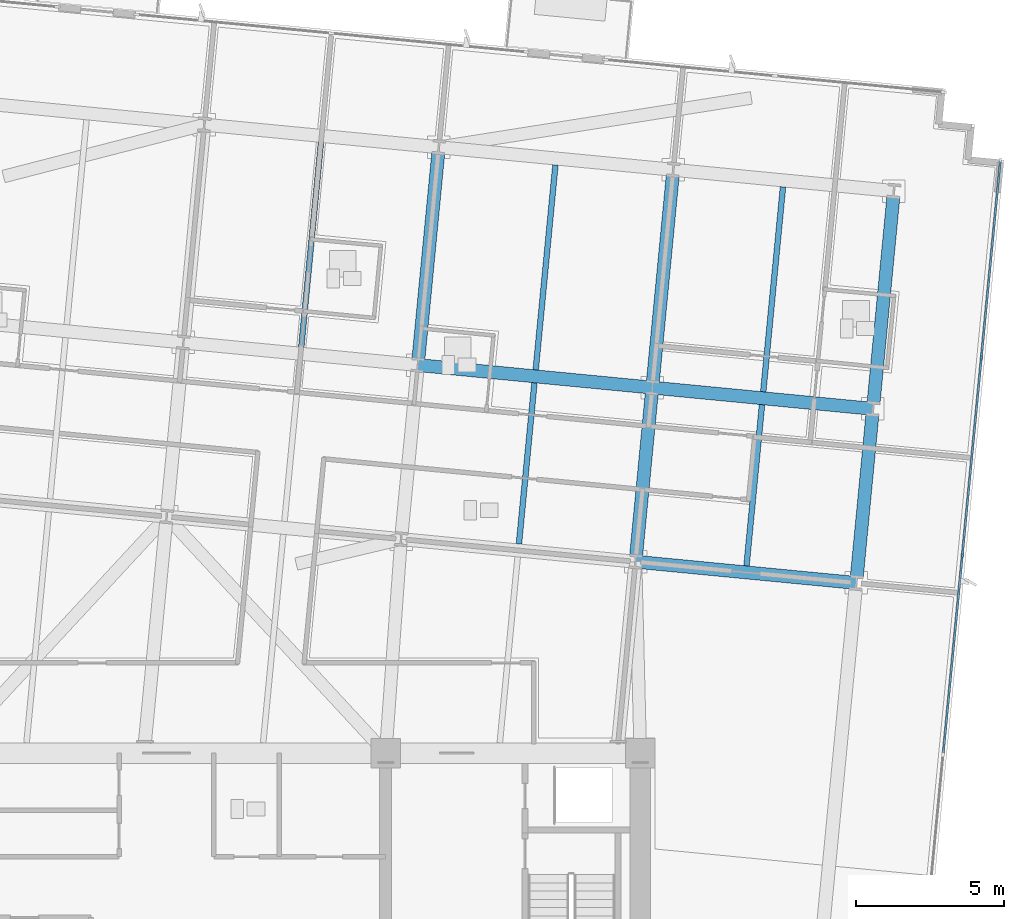
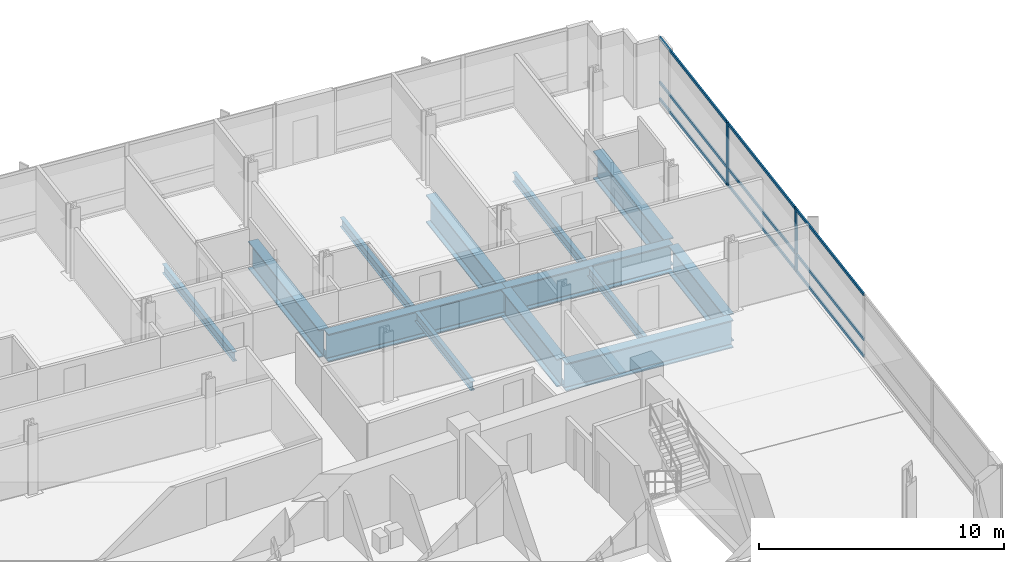
# One storey, part 6 of 18: 13 beams, 11 members, 1 element without a shape of its own.
"""IFC4 building model written with IfcOpenShell, lengths in metres."""

from ifc_helpers import new_model, si_unit, direction, frame, origin, origin_2d, place, context, subcontext, project, spatial, rectangle, i_section, extrude, material, material_profile, profile_set, type_object, element, aggregate, save


model = new_model("IFC4")

# Units and contexts
model_context = context("Model", 3, precision=1e-05, world=origin(), true_north=direction((0.0, 1.0)))
body_context = subcontext(model_context, "Body", "Model", "MODEL_VIEW")
ifc_project = project(units=[si_unit("LENGTHUNIT", "METRE"), si_unit("AREAUNIT", "SQUARE_METRE"), si_unit("VOLUMEUNIT", "CUBIC_METRE"), si_unit("PLANEANGLEUNIT", "RADIAN"), si_unit("MASSUNIT", "GRAM", prefix="KILO")], contexts=[model_context])

# Site, building, storey
site_placement = place(None, origin())
site = spatial("IfcSite", under=ifc_project, at=site_placement, CompositionType="ELEMENT")
building_placement = place(site_placement, origin())
building = spatial("IfcBuilding", under=site, at=building_placement, Name="Solmavex Isthmus Hotel", CompositionType="ELEMENT")
storey_placement = place(building_placement, frame((0.0, 0.0, 135.89990234375)))
storey = spatial("IfcBuildingStorey", under=building, at=storey_placement, Name="L36", CompositionType="ELEMENT", Elevation=135.89990234375)

# Beams
ifc_material_1 = material(Name="Steel ASTM A992 Grade 50", Category="steel")
ifc_material_profile_1 = material_profile(ifc_material_1, i_section(OverallWidth=0.1904296875, OverallDepth=0.456787109375, WebThickness=0.009033203125, FlangeThickness=0.014404296875, FilletRadius=0.0126953125, at=origin_2d()), Name="W18X50")
ifc_profile_set_1 = profile_set([ifc_material_profile_1], Name="Steel ASTM A992 Grade 50")
beam_type_1 = type_object("IfcBeamType", Name="BM-BJ-W18X50", PredefinedType="JOIST", material=ifc_profile_set_1)
beam_1_placement = place(storey_placement, frame((4.54833984375, 11.208740234375, -0.678466796875), z_axis=(0.095834859327, 0.995397247202, 0.0), x_axis=(-0.995397247202, 0.095834859327, 0.0)))
element("IfcBeam", 1, at=beam_1_placement, inside=storey, type_object=beam_type_1, Name="Secondary Floor Joist L36-J12", PredefinedType="JOIST", context=body_context, shape_type="SweptSolid", body=[
    extrude(i_section(OverallWidth=0.1904296875, OverallDepth=0.456787109375, WebThickness=0.009033203125, FlangeThickness=0.014404296875, FilletRadius=0.0126953125, at=origin_2d()), origin(), (0.0, 0.0, 1.0), 6.9521484375),
])
beam_2_placement = place(storey_placement, frame((11.9013671875, 4.5654296875, -0.678466796875), z_axis=(0.095860437863, 0.99539478422, 0.0), x_axis=(-0.99539478422, 0.095860437863, 0.0)))
element("IfcBeam", 2, at=beam_2_placement, inside=storey, type_object=beam_type_1, Name="Secondary Floor Joist L36-J14", PredefinedType="JOIST", context=body_context, shape_type="SweptSolid", body=[
    extrude(i_section(OverallWidth=0.1904296875, OverallDepth=0.456787109375, WebThickness=0.009033203125, FlangeThickness=0.014404296875, FilletRadius=0.0126953125, at=origin_2d()), origin(), (0.0, 0.0, 1.0), 5.468017578125),
])
beam_3_placement = place(storey_placement, frame((12.4677734375, 10.4462890625, -0.678466796875), z_axis=(0.095838209406, 0.995396924658, 0.0), x_axis=(-0.995396924658, 0.095838209406, 0.0)))
element("IfcBeam", 3, at=beam_3_placement, inside=storey, type_object=beam_type_1, Name="Secondary Floor Joist L36-J15", PredefinedType="JOIST", context=body_context, shape_type="SweptSolid", body=[
    extrude(i_section(OverallWidth=0.1904296875, OverallDepth=0.456787109375, WebThickness=0.009033203125, FlangeThickness=0.014404296875, FilletRadius=0.0126953125, at=origin_2d()), origin(), (0.0, 0.0, 1.0), 6.951904296875),
])
beam_4_placement = place(storey_placement, frame((19.587890625, 3.825439453125, -0.678466796875), z_axis=(0.095860437863, 0.99539478422, 0.0), x_axis=(-0.99539478422, 0.095860437863, 0.0)))
element("IfcBeam", 4, at=beam_4_placement, inside=storey, type_object=beam_type_1, Name="Secondary Floor Joist L36-J16", PredefinedType="JOIST", context=body_context, shape_type="SweptSolid", body=[
    extrude(i_section(OverallWidth=0.1904296875, OverallDepth=0.456787109375, WebThickness=0.009033203125, FlangeThickness=0.014404296875, FilletRadius=0.0126953125, at=origin_2d()), origin(), (0.0, 0.0, 1.0), 5.468017578125),
])
beam_5_placement = place(storey_placement, frame((20.154052734375, 9.706298828125, -0.678466796875), z_axis=(0.095873005103, 0.995393573865, 0.0), x_axis=(-0.995393573865, 0.095873005103, 0.0)))
element("IfcBeam", 5, at=beam_5_placement, inside=storey, type_object=beam_type_1, Name="Secondary Floor Joist L36-J17", PredefinedType="JOIST", context=body_context, shape_type="SweptSolid", body=[
    extrude(i_section(OverallWidth=0.1904296875, OverallDepth=0.456787109375, WebThickness=0.009033203125, FlangeThickness=0.014404296875, FilletRadius=0.0126953125, at=origin_2d()), origin(), (0.0, 0.0, 1.0), 6.951904296875),
])
ifc_material_2 = material(Name="Steel ASTM A572 Grade 50", Category="steel")
ifc_material_profile_2 = material_profile(ifc_material_2, i_section(OverallWidth=0.43994140625, OverallDepth=1.3798828125, WebThickness=0.030029296875, FlangeThickness=0.054931640625, FilletRadius=0.030517578125, at=origin_2d()), Name="I1380X440")
ifc_profile_set_2 = profile_set([ifc_material_profile_2], Name="Steel ASTM A572 Grade 50")
beam_type_2 = type_object("IfcBeamType", Name="BM-TG-I1380", PredefinedType="BEAM", material=ifc_profile_set_2)
beam_6_placement = place(storey_placement, frame((15.840087890625, 3.96533203125, -1.139892578125), z_axis=(0.995394980007, -0.095858404835, 0.0), x_axis=(0.095858404835, 0.995394980007, 0.0)))
element("IfcBeam", 6, at=beam_6_placement, inside=storey, type_object=beam_type_2, Name="Outrigger Collector Girder L36-UG08", PredefinedType="BEAM", context=body_context, shape_type="SweptSolid", body=[
    extrude(i_section(OverallWidth=0.43994140625, OverallDepth=1.3798828125, WebThickness=0.030029296875, FlangeThickness=0.054931640625, FilletRadius=0.030517578125, at=origin_2d()), origin(), (0.0, 0.0, 1.0), 7.48779296875),
])
beam_7_placement = place(storey_placement, frame((8.48681640625, 10.608642578125, -1.139892578125), z_axis=(0.995394512348, -0.095863260885, 0.0), x_axis=(0.095863260885, 0.995394512348, 0.0)))
element("IfcBeam", 7, at=beam_7_placement, inside=storey, type_object=beam_type_2, Name="Outrigger Collector Girder L36-UG13", PredefinedType="BEAM", context=body_context, shape_type="SweptSolid", body=[
    extrude(i_section(OverallWidth=0.43994140625, OverallDepth=1.3798828125, WebThickness=0.030029296875, FlangeThickness=0.054931640625, FilletRadius=0.030517578125, at=origin_2d()), origin(), (0.0, 0.0, 1.0), 7.9560546875),
])
beam_8_placement = place(storey_placement, frame((16.40625, 9.845947265625, -1.139892578125), z_axis=(0.995398389938, -0.095822989454, 0.0), x_axis=(0.095822989454, 0.995398389938, 0.0)))
element("IfcBeam", 8, at=beam_8_placement, inside=storey, type_object=beam_type_2, Name="Outrigger Collector Girder L36-UG14", PredefinedType="BEAM", context=body_context, shape_type="SweptSolid", body=[
    extrude(i_section(OverallWidth=0.43994140625, OverallDepth=1.3798828125, WebThickness=0.030029296875, FlangeThickness=0.054931640625, FilletRadius=0.030517578125, at=origin_2d()), origin(), (0.0, 0.0, 1.0), 7.488037109375),
])
beam_9_placement = place(storey_placement, frame((8.508056640625, 10.82763671875, -1.139892578125), z_axis=(0.095838209406, 0.995396924658, 0.0), x_axis=(-0.995396924658, 0.095838209406, 0.0)))
element("IfcBeam", 9, at=beam_9_placement, inside=storey, type_object=beam_type_2, Name="Outrigger Collector Beam L36-VG34", PredefinedType="BEAM", context=body_context, shape_type="SweptSolid", body=[
    extrude(i_section(OverallWidth=0.43994140625, OverallDepth=1.3798828125, WebThickness=0.030029296875, FlangeThickness=0.054931640625, FilletRadius=0.030517578125, at=origin_2d()), origin(), (0.0, 0.0, 1.0), 6.951904296875),
])
beam_10_placement = place(storey_placement, frame((15.861083984375, 4.184326171875, -1.139892578125), z_axis=(0.095864698371, 0.995394373907, 0.0), x_axis=(-0.995394373907, 0.095864698371, 0.0)))
element("IfcBeam", 10, at=beam_10_placement, inside=storey, type_object=beam_type_2, Name="Outrigger Collector Beam L36-VG36", PredefinedType="BEAM", context=body_context, shape_type="SweptSolid", body=[
    extrude(i_section(OverallWidth=0.43994140625, OverallDepth=1.3798828125, WebThickness=0.030029296875, FlangeThickness=0.054931640625, FilletRadius=0.030517578125, at=origin_2d()), origin(), (0.0, 0.0, 1.0), 5.4677734375),
])
beam_11_placement = place(storey_placement, frame((16.42724609375, 10.06494140625, -1.139892578125), z_axis=(0.095869653831, 0.995393896643, 0.0), x_axis=(-0.995393896643, 0.095869653831, 0.0)))
element("IfcBeam", 11, at=beam_11_placement, inside=storey, type_object=beam_type_2, Name="Outrigger Collector Beam L36-VG37", PredefinedType="BEAM", context=body_context, shape_type="SweptSolid", body=[
    extrude(i_section(OverallWidth=0.43994140625, OverallDepth=1.3798828125, WebThickness=0.030029296875, FlangeThickness=0.054931640625, FilletRadius=0.030517578125, at=origin_2d()), origin(), (0.0, 0.0, 1.0), 6.9521484375),
])
beam_12_placement = place(storey_placement, frame((23.314697265625, 3.466552734375, -1.139892578125), z_axis=(0.095816199314, 0.995399043574, 0.0), x_axis=(-0.995399043574, 0.095816199314, 0.0)))
element("IfcBeam", 12, at=beam_12_placement, inside=storey, type_object=beam_type_2, Name="Outrigger Collector Beam L36-VG39", PredefinedType="BEAM", context=body_context, shape_type="SweptSolid", body=[
    extrude(i_section(OverallWidth=0.43994140625, OverallDepth=1.3798828125, WebThickness=0.030029296875, FlangeThickness=0.054931640625, FilletRadius=0.030517578125, at=origin_2d()), origin(), (0.0, 0.0, 1.0), 5.468017578125),
])
beam_13_placement = place(storey_placement, frame((23.880859375, 9.347412109375, -1.139892578125), z_axis=(0.095838209406, 0.995396924658, 0.0), x_axis=(-0.995396924658, 0.095838209406, 0.0)))
element("IfcBeam", 13, at=beam_13_placement, inside=storey, type_object=beam_type_2, Name="Outrigger Collector Beam L36-VG40", PredefinedType="BEAM", context=body_context, shape_type="SweptSolid", body=[
    extrude(i_section(OverallWidth=0.43994140625, OverallDepth=1.3798828125, WebThickness=0.030029296875, FlangeThickness=0.054931640625, FilletRadius=0.030517578125, at=origin_2d()), origin(), (0.0, 0.0, 1.0), 6.951904296875),
])

# Curtain wall, members
ifc_material_3 = material(Name="Aluminium alloy 6063-T6", Category="aluminium")
curtain_wall_type = type_object("IfcCurtainWallType", Name="CW-SYS-03", PredefinedType="NOTDEFINED", material=ifc_material_3)
curtain_wall_placement = place(storey_placement, origin())
curtain_wall = element("IfcCurtainWall", 14, at=curtain_wall_placement, inside=storey, type_object=curtain_wall_type, Name="Stick Curtain Wall CWL-L36-E1", PredefinedType="NOTDEFINED")
ifc_material_profile_3 = material_profile(ifc_material_3, rectangle(XDim=0.070068359375, YDim=0.179931640625, at=origin_2d()), Name="CWM-70X180")
ifc_profile_set_3 = profile_set([ifc_material_profile_3], Name="Aluminium alloy 6063-T6")
member_type_1 = type_object("IfcMemberType", Name="CW-SYS-03-MUL", PredefinedType="MULLION", material=ifc_profile_set_3)
member_1_placement = place(storey_placement, frame((26.878173828125, 4.168212890625, 0.0), z_axis=(0.0, 0.0, 1.0), x_axis=(-0.995396190038, 0.09584583902, 0.0)))
member_1 = element("IfcMember", 15, at=member_1_placement, type_object=member_type_1, Name="CW-03 mullion 4", PredefinedType="MULLION", context=body_context, shape_type="SweptSolid", body=[
    extrude(rectangle(XDim=0.070068359375, YDim=0.179931640625, at=origin_2d()), origin(), (0.0, 0.0, 1.0), 3.190185546875),
])
member_2_placement = place(storey_placement, frame((27.5224609375, 10.857177734375, 0.0), z_axis=(0.0, 0.0, 1.0), x_axis=(-0.995396190038, 0.09584583902, 0.0)))
member_2 = element("IfcMember", 16, at=member_2_placement, type_object=member_type_1, Name="CW-03 mullion 5", PredefinedType="MULLION", context=body_context, shape_type="SweptSolid", body=[
    extrude(rectangle(XDim=0.070068359375, YDim=0.179931640625, at=origin_2d()), origin(), (0.0, 0.0, 1.0), 3.190185546875),
])
ifc_material_profile_4 = material_profile(ifc_material_3, rectangle(XDim=0.070068359375, YDim=0.139892578125, at=origin_2d()), Name="CWT-70X140")
ifc_profile_set_4 = profile_set([ifc_material_profile_4], Name="Aluminium alloy 6063-T6")
member_type_2 = type_object("IfcMemberType", Name="CW-SYS-03-TRN", PredefinedType="USERDEFINED", material=ifc_profile_set_4)
member_3_placement = place(storey_placement, frame((26.237548828125, -2.486083984375, 0.070068359375), z_axis=(0.095857212138, 0.995395094865, 0.0), x_axis=(-0.995395094865, 0.095857212138, 0.0)))
member_3 = element("IfcMember", 17, at=member_3_placement, type_object=member_type_2, Name="CW-03 transom 3.1", ObjectType="TRANSOM", PredefinedType="USERDEFINED", context=body_context, shape_type="SweptSolid", body=[
    extrude(rectangle(XDim=0.070068359375, YDim=0.139892578125, at=origin_2d()), origin(), (0.0, 0.0, 1.0), 6.64990234375),
])
member_4_placement = place(storey_placement, frame((26.237548828125, -2.486083984375, 0.900146484375), z_axis=(0.095857212138, 0.995395094865, 0.0), x_axis=(-0.995395094865, 0.095857212138, 0.0)))
member_4 = element("IfcMember", 18, at=member_4_placement, type_object=member_type_2, Name="CW-03 transom 3.2", ObjectType="TRANSOM", PredefinedType="USERDEFINED", context=body_context, shape_type="SweptSolid", body=[
    extrude(rectangle(XDim=0.070068359375, YDim=0.139892578125, at=origin_2d()), origin(), (0.0, 0.0, 1.0), 6.64990234375),
])
member_5_placement = place(storey_placement, frame((26.237548828125, -2.486083984375, 3.1201171875), z_axis=(0.095857212138, 0.995395094865, 0.0), x_axis=(-0.995395094865, 0.095857212138, 0.0)))
member_5 = element("IfcMember", 19, at=member_5_placement, type_object=member_type_2, Name="CW-03 transom 3.3", ObjectType="TRANSOM", PredefinedType="USERDEFINED", context=body_context, shape_type="SweptSolid", body=[
    extrude(rectangle(XDim=0.070068359375, YDim=0.139892578125, at=origin_2d()), origin(), (0.0, 0.0, 1.0), 6.64990234375),
])
member_6_placement = place(storey_placement, frame((26.881591796875, 4.203125, 0.070068359375), z_axis=(0.095857212138, 0.995395094865, 0.0), x_axis=(-0.995395094865, 0.095857212138, 0.0)))
member_6 = element("IfcMember", 20, at=member_6_placement, type_object=member_type_2, Name="CW-03 transom 4.1", ObjectType="TRANSOM", PredefinedType="USERDEFINED", context=body_context, shape_type="SweptSolid", body=[
    extrude(rectangle(XDim=0.070068359375, YDim=0.139892578125, at=origin_2d()), origin(), (0.0, 0.0, 1.0), 6.64990234375),
])
member_7_placement = place(storey_placement, frame((26.881591796875, 4.203125, 0.900146484375), z_axis=(0.095857212138, 0.995395094865, 0.0), x_axis=(-0.995395094865, 0.095857212138, 0.0)))
member_7 = element("IfcMember", 21, at=member_7_placement, type_object=member_type_2, Name="CW-03 transom 4.2", ObjectType="TRANSOM", PredefinedType="USERDEFINED", context=body_context, shape_type="SweptSolid", body=[
    extrude(rectangle(XDim=0.070068359375, YDim=0.139892578125, at=origin_2d()), origin(), (0.0, 0.0, 1.0), 6.64990234375),
])
member_8_placement = place(storey_placement, frame((26.881591796875, 4.203125, 3.1201171875), z_axis=(0.095857212138, 0.995395094865, 0.0), x_axis=(-0.995395094865, 0.095857212138, 0.0)))
member_8 = element("IfcMember", 22, at=member_8_placement, type_object=member_type_2, Name="CW-03 transom 4.3", ObjectType="TRANSOM", PredefinedType="USERDEFINED", context=body_context, shape_type="SweptSolid", body=[
    extrude(rectangle(XDim=0.070068359375, YDim=0.139892578125, at=origin_2d()), origin(), (0.0, 0.0, 1.0), 6.64990234375),
])
member_9_placement = place(storey_placement, frame((27.525634765625, 10.89208984375, 0.070068359375), z_axis=(0.095848837806, 0.995395901283, 0.0), x_axis=(-0.995395901283, 0.095848837806, 0.0)))
member_9 = element("IfcMember", 23, at=member_9_placement, type_object=member_type_2, Name="CW-03 transom 5.1", ObjectType="TRANSOM", PredefinedType="USERDEFINED", context=body_context, shape_type="SweptSolid", body=[
    extrude(rectangle(XDim=0.070068359375, YDim=0.139892578125, at=origin_2d()), origin(), (0.0, 0.0, 1.0), 6.614990234375),
])
member_10_placement = place(storey_placement, frame((27.525634765625, 10.89208984375, 0.900146484375), z_axis=(0.095848837806, 0.995395901283, 0.0), x_axis=(-0.995395901283, 0.095848837806, 0.0)))
member_10 = element("IfcMember", 24, at=member_10_placement, type_object=member_type_2, Name="CW-03 transom 5.2", ObjectType="TRANSOM", PredefinedType="USERDEFINED", context=body_context, shape_type="SweptSolid", body=[
    extrude(rectangle(XDim=0.070068359375, YDim=0.139892578125, at=origin_2d()), origin(), (0.0, 0.0, 1.0), 6.614990234375),
])
member_11_placement = place(storey_placement, frame((27.525634765625, 10.89208984375, 3.1201171875), z_axis=(0.095848837806, 0.995395901283, 0.0), x_axis=(-0.995395901283, 0.095848837806, 0.0)))
member_11 = element("IfcMember", 25, at=member_11_placement, type_object=member_type_2, Name="CW-03 transom 5.3", ObjectType="TRANSOM", PredefinedType="USERDEFINED", context=body_context, shape_type="SweptSolid", body=[
    extrude(rectangle(XDim=0.070068359375, YDim=0.139892578125, at=origin_2d()), origin(), (0.0, 0.0, 1.0), 6.614990234375),
])
aggregate(curtain_wall, [member_1, member_2, member_3, member_4, member_5, member_6, member_7, member_8, member_9, member_10, member_11])

save(model, "model.ifc")
